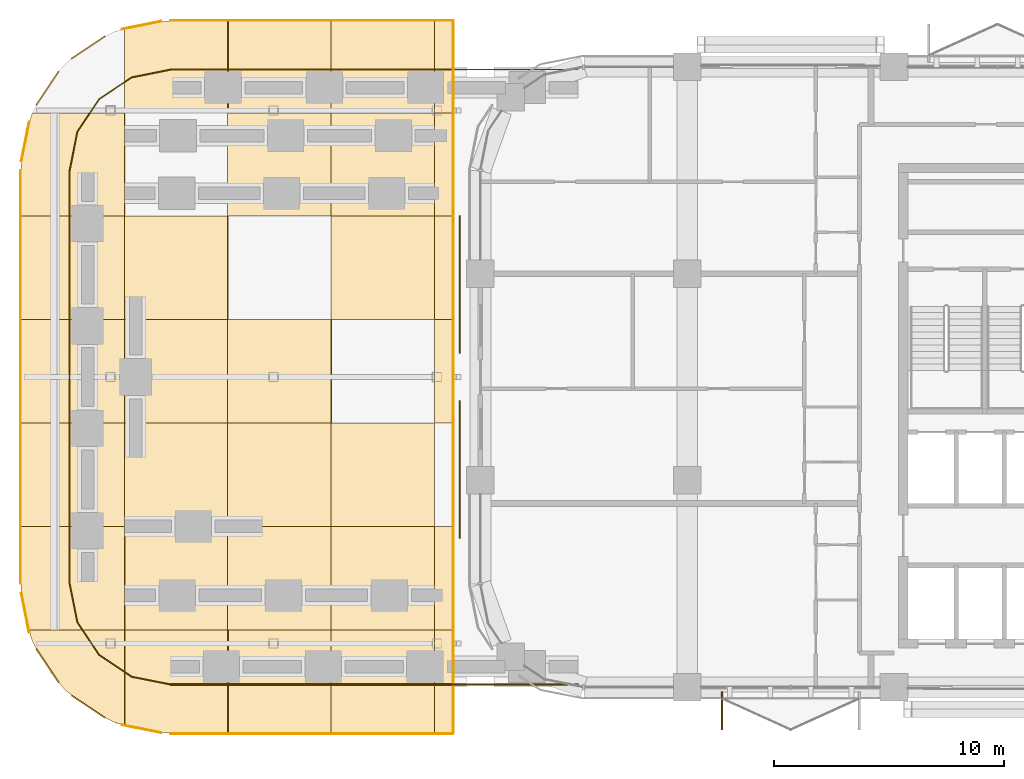
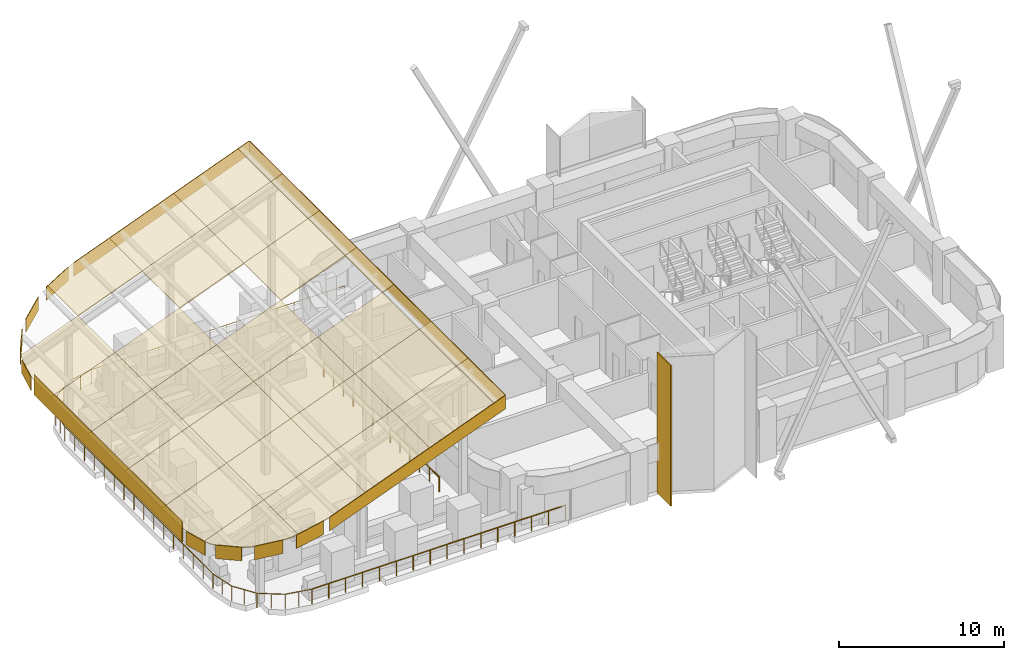
# One storey, part 12 of 13: 43 coverings, 4 railings.
"""IFC4 building model written with IfcOpenShell, lengths in metres."""

from ifc_helpers import new_model, si_unit, direction, frame, origin, origin_2d, place, context, subcontext, project, spatial, polyline, circle, outline, extrude, material, layer, layer_set, type_object, element, save


model = new_model("IFC4")

# Units and contexts
model_context = context("Model", 3, precision=1e-05, world=origin(), true_north=direction((0.0, 1.0)))
body_context = subcontext(model_context, "Body", "Model", "MODEL_VIEW")
ifc_project = project(units=[si_unit("LENGTHUNIT", "METRE"), si_unit("AREAUNIT", "SQUARE_METRE"), si_unit("VOLUMEUNIT", "CUBIC_METRE"), si_unit("PLANEANGLEUNIT", "RADIAN"), si_unit("MASSUNIT", "GRAM", prefix="KILO")], contexts=[model_context])

# Site, building, storey
site_placement = place(None, origin())
site = spatial("IfcSite", under=ifc_project, at=site_placement, CompositionType="ELEMENT")
building_placement = place(site_placement, origin())
building = spatial("IfcBuilding", under=site, at=building_placement, Name="Tessera Arch", CompositionType="ELEMENT")
storey_placement = place(building_placement, frame((0.0, 0.0, 234.5)))
storey = spatial("IfcBuildingStorey", under=building, at=storey_placement, Name="L56", CompositionType="ELEMENT", Elevation=234.5)

# Coverings
ifc_material_1 = material(Name="Aluminium cladding pale metal anodised", Category="aluminium")
ifc_layer_1 = layer(ifc_material_1, 0.0400390625)
ifc_layer_set_1 = layer_set([ifc_layer_1], Name="Canopy fascia pale metal")
covering_type_1 = type_object("IfcCoveringType", Name="Canopy fascia pale metal", PredefinedType="CLADDING", material=ifc_layer_set_1)
covering_1_placement = place(storey_placement, frame((4.5009765625, 25.0, 7.695556640625), z_axis=(0.0, 1.0, 0.0), x_axis=(0.933586121184, 0.0, 0.358353114027)))
element("IfcCovering", 1, at=covering_1_placement, inside=storey, type_object=covering_type_1, Name="CANOPY T2 fascia 2", PredefinedType="CLADDING", context=body_context, shape_type="SweptSolid", body=[
    extrude(outline(polyline([(0.0, 0.0), (13.17400932441898, 0.0), (12.815656210392078, 0.9335861211839118), (-0.3583531140269032, 0.9335861211839117), (0.0, 0.0)])), origin(), (0.0, 0.0, -1.0), 0.0400390625),
])
covering_2_placement = place(storey_placement, frame((16.800048828125, 25.0, 12.41650390625), z_axis=(-1.0, 0.0, 0.0), x_axis=(0.0, 1.0, 0.0)))
element("IfcCovering", 2, at=covering_2_placement, inside=storey, type_object=covering_type_1, Name="CANOPY T2 fascia 3", PredefinedType="CLADDING", context=body_context, shape_type="SweptSolid", body=[
    extrude(outline(polyline([(0.0, 0.0), (31.0, 0.0), (31.0, 1.0), (0.0, 1.0), (0.0, 0.0)])), origin(), (0.0, 0.0, -1.0), 0.0400390625),
])
covering_3_placement = place(storey_placement, frame((16.800048828125, 56.0, 12.41650390625), z_axis=(0.0, -1.0, 0.0), x_axis=(-0.933586121184, 0.0, -0.358353114027)))
element("IfcCovering", 3, at=covering_3_placement, inside=storey, type_object=covering_type_1, Name="CANOPY T2 fascia 4", PredefinedType="CLADDING", context=body_context, shape_type="SweptSolid", body=[
    extrude(outline(polyline([(0.0, 0.0), (13.17400932441898, 0.0), (13.532362438445883, 0.9335861211839118), (0.3583531140269032, 0.9335861211839117), (0.0, 0.0)])), origin(), (0.0, 0.0, -1.0), 0.0400390625),
])
covering_4_placement = place(storey_placement, frame((4.10888671875, 55.96142578125, 7.544921875), z_axis=(0.195125035928, -0.980778374738, 0.0), x_axis=(-0.917889527499, -0.18261335246, -0.352322549394)))
element("IfcCovering", 4, at=covering_4_placement, inside=storey, type_object=covering_type_1, Name="CANOPY T2 fascia 8", PredefinedType="CLADDING", context=body_context, shape_type="SweptSolid", body=[
    extrude(outline(polyline([(0.0, 0.0), (1.873033986927359, 0.0), (2.2253565363209025, 0.9358786359292716), (0.35232254939354346, 0.9358786359292717), (0.0, 0.0)])), origin(), (0.0, 0.0, -1.0), 0.0400390625),
])
covering_5_placement = place(storey_placement, frame((1.6650390625, 55.3193359375, 6.60693359375), z_axis=(0.555632494764, -0.831428006963, 0.0), x_axis=(-0.792070334031, -0.52933027519, -0.304029679003)))
element("IfcCovering", 5, at=covering_5_placement, inside=storey, type_object=covering_type_1, Name="CANOPY T2 fascia 14", PredefinedType="CLADDING", context=body_context, shape_type="SweptSolid", body=[
    extrude(outline(polyline([(0.0, 0.0), (1.8389060998366031, 0.0), (2.1429357788396133, 0.9526625605561115), (0.30402967900301037, 0.9526625605561115), (0.0, 0.0)])), origin(), (0.0, 0.0, -1.0), 0.0400390625),
])
covering_6_placement = place(storey_placement, frame((-0.345947265625, 53.79150390625, 5.8349609375), z_axis=(0.831428006963, -0.555632494764, 0.0), x_axis=(-0.543401447087, -0.813125917563, -0.208665065335)))
element("IfcCovering", 6, at=covering_6_placement, inside=storey, type_object=covering_type_1, Name="CANOPY T2 fascia 20", PredefinedType="CLADDING", context=body_context, shape_type="SweptSolid", body=[
    extrude(outline(polyline([(0.0, 0.0), (1.7912883322128825, 5.551115123125783e-17), (1.999953397547869, 0.9779871627525316), (0.20866506533498647, 0.9779871627525314), (0.0, 0.0)])), origin(), (0.0, 0.0, -1.0), 0.0400390625),
])
covering_7_placement = place(storey_placement, frame((-1.619384765625, 51.6103515625, 5.34619140625), z_axis=(0.980778374738, -0.195125035928, 0.0), x_axis=(-0.194579563015, -0.978036604393, -0.074720774377)))
element("IfcCovering", 7, at=covering_7_placement, inside=storey, type_object=covering_type_1, Name="CANOPY T2 fascia 26", PredefinedType="CLADDING", context=body_context, shape_type="SweptSolid", body=[
    extrude(outline(polyline([(0.0, 0.0), (1.757846560678037, 0.0), (1.8325673350551455, 0.9972044955155813), (0.07472077437710863, 0.9972044955155814), (0.0, 0.0)])), origin(), (0.0, 0.0, -1.0), 0.0400390625),
])
covering_8_placement = place(storey_placement, frame((-2.0, 49.4990234375, 5.699951171875), z_axis=(1.0, 0.0, 0.0), x_axis=(0.0, -1.0, 0.0)))
element("IfcCovering", 8, at=covering_8_placement, inside=storey, type_object=covering_type_1, Name="CANOPY T2 fascia 30", PredefinedType="CLADDING", context=body_context, shape_type="SweptSolid", body=[
    extrude(outline(polyline([(0.0, 0.0), (17.998046875, 0.0), (17.998046875, 1.5), (0.0, 1.5), (0.0, 0.0)])), origin(), (0.0, 0.0, -1.0), 0.0400390625),
])
covering_9_placement = place(storey_placement, frame((-1.96142578125, 31.10888671875, 5.21484375), z_axis=(0.980778374738, 0.195125035928, 0.0), x_axis=(0.194579563015, -0.978036604393, 0.074720774377)))
element("IfcCovering", 9, at=covering_9_placement, inside=storey, type_object=covering_type_1, Name="CANOPY T2 fascia 34", PredefinedType="CLADDING", context=body_context, shape_type="SweptSolid", body=[
    extrude(outline(polyline([(0.0, 0.0), (1.757846560678037, 0.0), (1.6831257863009284, 0.9972044955155814), (-0.07472077437710863, 0.9972044955155814), (0.0, 0.0)])), origin(), (0.0, 0.0, -1.0), 0.0400390625),
])
covering_10_placement = place(storey_placement, frame((-1.3193359375, 28.6650390625, 5.461181640625), z_axis=(0.831428006963, 0.555632494764, 0.0), x_axis=(0.543401447087, -0.813125917563, 0.208665065335)))
element("IfcCovering", 10, at=covering_10_placement, inside=storey, type_object=covering_type_1, Name="CANOPY T2 fascia 40", PredefinedType="CLADDING", context=body_context, shape_type="SweptSolid", body=[
    extrude(outline(polyline([(0.0, 0.0), (1.7912883322128825, -5.551115123125783e-17), (1.582623266877896, 0.9779871627525314), (-0.20866506533498647, 0.9779871627525314), (0.0, 0.0)])), origin(), (0.0, 0.0, -1.0), 0.0400390625),
])
covering_11_placement = place(storey_placement, frame((0.20849609375, 26.654052734375, 6.0478515625), z_axis=(0.555632494764, 0.831428006963, 0.0), x_axis=(0.792070334031, -0.52933027519, 0.304029679003)))
element("IfcCovering", 11, at=covering_11_placement, inside=storey, type_object=covering_type_1, Name="CANOPY T2 fascia 46", PredefinedType="CLADDING", context=body_context, shape_type="SweptSolid", body=[
    extrude(outline(polyline([(0.0, 0.0), (1.8389060998366031, 0.0), (1.5348764208335928, 0.9526625605561115), (-0.30402967900301037, 0.9526625605561115), (0.0, 0.0)])), origin(), (0.0, 0.0, -1.0), 0.0400390625),
])
covering_12_placement = place(storey_placement, frame((2.3896484375, 25.380615234375, 6.885009765625), z_axis=(0.195125035928, 0.980778374738, 0.0), x_axis=(0.917889527499, -0.18261335246, 0.352322549394)))
element("IfcCovering", 12, at=covering_12_placement, inside=storey, type_object=covering_type_1, Name="CANOPY T2 fascia 52", PredefinedType="CLADDING", context=body_context, shape_type="SweptSolid", body=[
    extrude(outline(polyline([(0.0, 0.0), (1.873033986927359, 0.0), (1.5207114375338155, 0.9358786359292717), (-0.35232254939354346, 0.9358786359292717), (0.0, 0.0)])), origin(), (0.0, 0.0, -1.0), 0.0400390625),
])
ifc_material_2 = material(Name="Aluminium cladding pale metal anodised", Category="aluminium")
ifc_layer_2 = layer(ifc_material_2, 0.080078125)
ifc_layer_set_2 = layer_set([ifc_layer_2], Name="Canopy panel pale metal")
covering_type_2 = type_object("IfcCoveringType", Name="Canopy panel pale metal", PredefinedType="CLADDING", material=ifc_layer_set_2)
covering_13_placement = place(storey_placement, frame((2.5, 29.5, 6.927490234375), z_axis=(-0.358397307592, -8.583262e-06, 0.93356915643), x_axis=(-0.933569156464, 4.3e-11, -0.358397307605)))
element("IfcCovering", 13, at=covering_13_placement, inside=storey, type_object=covering_type_2, Name="CANOPY T2 panel 1-1", PredefinedType="CLADDING", context=body_context, shape_type="SweptSolid", body=[
    extrude(outline(polyline([(0.0, 0.0), (4.436039274469699, 0.0), (4.389203753652223, 0.20703124943891174), (4.327767105828282, 0.3957519529779095), (4.246926737423839, 0.5778808584843661), (4.147856835096378, 0.7512207031982405), (4.091135281507817, 0.8349609381669815), (3.048448146492328, 2.2915039060549898), (2.9873269201730426, 2.3725585951782526), (2.8533934051010723, 2.5249023442999494), (2.7037720757076933, 2.6643066403629754), (2.5403208851223678, 2.7895507808541944), (2.4545375003351433, 2.845947265065426), (0.8943804148729191, 3.819335937518349), (0.8055119668270752, 3.8718261729166867), (0.6190286487462071, 3.964843750483991), (0.4239739073617549, 4.040283204359769), (0.22180277496045597, 4.097656250744239), (-1.7838111411469967e-10, 4.141357421722448), (0.0, 0.0)])), origin(), (0.0, 0.0, -1.0), 0.080078125),
])
covering_14_placement = place(storey_placement, frame((-1.641357421875, 29.5, 5.337646484375), z_axis=(-0.358391878059, 2.038691e-06, 0.933571240847), x_axis=(0.933571240849, -2e-12, 0.358391878059)))
element("IfcCovering", 14, at=covering_14_placement, inside=storey, type_object=covering_type_2, Name="CANOPY T2 panel 1-2", PredefinedType="CLADDING", context=body_context, shape_type="SweptSolid", body=[
    extrude(outline(polyline([(0.0, 0.0), (4.436039274524144, -4.235164736271502e-22), (4.436039274516826, 4.499999999990649), (-0.3841672783357465, 4.500000000018152), (-0.3841672783316828, 2.0009765625233444), (-0.3815380596008743, 1.901855468698713), (-0.3609072284558098, 1.706542968851368), (-0.34281811802444706, 1.6088867186139935), (0.0, 0.0)])), origin(), (0.0, 0.0, -1.0), 0.080078125),
])
for number, where, z_axis, x_axis, name in (
    (15, (-2.0, 34.0, 5.199951171875), (-0.358395235463, 0.0, 0.933569951957), (0.933569951957, 0.0, 0.358395235463), "CANOPY T2 panel 1-3"),
    (16, (-2.0, 38.5, 5.199951171875), (-0.358395235463, 0.0, 0.933569951957), (0.933569951957, 0.0, 0.358395235463), "CANOPY T2 panel 1-4"),
    (17, (-2.0, 43.0, 5.199951171875), (-0.358395235463, 0.0, 0.933569951957), (0.933569951957, 0.0, 0.358395235463), "CANOPY T2 panel 1-5"),
):
    element("IfcCovering", number, at=place(storey_placement, frame(where, z_axis=z_axis, x_axis=x_axis)), inside=storey, type_object=covering_type_2, Name=name, PredefinedType="CLADDING", context=body_context, shape_type="SweptSolid", body=[
        extrude(outline(polyline([(0.0, 0.0), (4.820206552883743, 0.0), (4.820206552883743, 4.5), (0.0, 4.5), (0.0, 0.0)])), origin(), (0.0, 0.0, -1.0), 0.080078125),
    ])
covering_15_placement = place(storey_placement, frame((-2.0, 47.5, 5.199951171875), z_axis=(-0.358386872143, -1.4808237e-05, 0.933573162455), x_axis=(0.933573162557, 1.33e-10, 0.358386872183)))
element("IfcCovering", 18, at=covering_15_placement, inside=storey, type_object=covering_type_2, Name="CANOPY T2 panel 1-6", PredefinedType="CLADDING", context=body_context, shape_type="SweptSolid", body=[
    extrude(outline(polyline([(0.0, 0.0), (4.820206552690326, 3.3881317890172014e-21), (4.820206553287286, 4.499999999506612), (0.5385037011833473, 4.500000001379486), (0.49189610421732305, 4.395019530392376), (0.4310027988945105, 4.207031250675496), (0.40774274880311956, 4.110351563749349), (0.04134916020176654, 2.391113282149499), (0.023260050382810347, 2.2934570304352873), (0.0026292188121003787, 2.0981445315634333), (2.6518580978969237e-10, 1.9990234372808233), (0.0, 0.0)])), origin(), (0.0, 0.0, -1.0), 0.080078125),
])
covering_16_placement = place(storey_placement, frame((4.40185546875, 25.00244140625, 7.657470703125), z_axis=(-0.358352086716, -5.96815e-06, 0.933586515493), x_axis=(0.933339906472, -0.022985650621, 0.35825728025)))
element("IfcCovering", 19, at=covering_16_placement, inside=storey, type_object=covering_type_2, Name="CANOPY T2 panel 2-1", PredefinedType="CLADDING", context=body_context, shape_type="SweptSolid", body=[
    extrude(outline(polyline([(0.0, 0.0), (0.106214354065648, 5.421010862427522e-20), (2.782303254639625, 0.06152790043243579), (2.678867826846032, 4.560338977990135), (-2.1399777331791436, 4.449545405368071), (-2.044785938384074, 0.3092821507776156), (-0.3145913989877169, 0.028909361985059678), (-0.2106744752929415, 0.014448436310297243), (0.0, 0.0)])), origin(), (0.0, 0.0, -1.0), 0.080078125),
])
for number, where, z_axis, x_axis, name in (
    (20, (7.0, 29.5, 8.65478515625), (-0.358351090622, 0.0, 0.933586897857), (0.0, 1.0, 0.0), "CANOPY T2 panel 2-2"),
    (21, (7.0, 34.0, 8.65478515625), (-0.358351090622, 0.0, 0.933586897857), (0.0, 1.0, 0.0), "CANOPY T2 panel 2-3"),
    (22, (7.0, 38.5, 8.65478515625), (-0.358351090622, 0.0, 0.933586897857), (0.0, 1.0, 0.0), "CANOPY T2 panel 2-4"),
    (23, (7.0, 43.0, 8.65478515625), (-0.358351090622, 0.0, 0.933586897857), (0.0, 1.0, 0.0), "CANOPY T2 panel 2-5"),
):
    element("IfcCovering", number, at=place(storey_placement, frame(where, z_axis=z_axis, x_axis=x_axis)), inside=storey, type_object=covering_type_2, Name=name, PredefinedType="CLADDING", context=body_context, shape_type="SweptSolid", body=[
        extrude(outline(polyline([(0.0, 0.0), (4.5, 0.0), (4.5, 4.820119059435686), (0.0, 4.820119059435686), (0.0, 0.0)])), origin(), (0.0, 0.0, -1.0), 0.080078125),
    ])
covering_17_placement = place(storey_placement, frame((2.5, 55.641357421875, 6.927490234375), z_axis=(-0.358352119174, 5.852666e-06, 0.933586503035), x_axis=(-2.097315e-06, -0.999999999983, 5.46397e-06)))
element("IfcCovering", 24, at=covering_17_placement, inside=storey, type_object=covering_type_2, Name="CANOPY T2 panel 2-7", PredefinedType="CLADDING", context=body_context, shape_type="SweptSolid", body=[
    extrude(outline(polyline([(0.0, 0.0), (3.6413574218126348, -1.542174854528551e-21), (3.6413574217815543, 4.820119059432761), (-0.3586425781499379, 4.820119059432761), (-0.3586425781057551, 2.143322936022263), (-0.35620117206803337, 2.037136644315517), (-0.3369140625924296, 1.8279366191619164), (-0.3200683600842396, 1.7232928624299426), (0.0, 0.0)])), origin(), (0.0, 0.0, -1.0), 0.080078125),
])
for number, where, z_axis, x_axis, name in (
    (25, (11.5, 25.0, 10.382080078125), (-0.358351090622, 0.0, 0.933586897857), (0.0, 1.0, 0.0), "CANOPY T2 panel 3-1"),
    (26, (11.5, 29.5, 10.382080078125), (-0.358351090622, 0.0, 0.933586897857), (0.0, 1.0, 0.0), "CANOPY T2 panel 3-2"),
    (27, (11.5, 34.0, 10.382080078125), (-0.358351090622, 0.0, 0.933586897857), (0.0, 1.0, 0.0), "CANOPY T2 panel 3-3"),
    (28, (11.5, 38.5, 10.382080078125), (-0.358351090622, 0.0, 0.933586897857), (0.0, 1.0, 0.0), "CANOPY T2 panel 3-4"),
    (29, (11.5, 47.5, 10.382080078125), (-0.358351090622, 0.0, 0.933586897857), (0.0, 1.0, 0.0), "CANOPY T2 panel 3-6"),
):
    element("IfcCovering", number, at=place(storey_placement, frame(where, z_axis=z_axis, x_axis=x_axis)), inside=storey, type_object=covering_type_2, Name=name, PredefinedType="CLADDING", context=body_context, shape_type="SweptSolid", body=[
        extrude(outline(polyline([(0.0, 0.0), (4.5, 0.0), (4.5, 4.820119059435686), (0.0, 4.820119059435686), (0.0, 0.0)])), origin(), (0.0, 0.0, -1.0), 0.080078125),
    ])
covering_18_placement = place(storey_placement, frame((7.0, 56.0, 8.65478515625), z_axis=(-0.358351090622, 0.0, 0.933586897857), x_axis=(0.0, -1.0, 0.0)))
element("IfcCovering", 30, at=covering_18_placement, inside=storey, type_object=covering_type_2, Name="CANOPY T2 panel 3-7", PredefinedType="CLADDING", context=body_context, shape_type="SweptSolid", body=[
    extrude(outline(polyline([(0.0, 0.0), (4.0, 0.0), (4.0, 4.820119059435686), (0.0, 4.820119059435686), (0.0, 0.0)])), origin(), (0.0, 0.0, -1.0), 0.080078125),
])
for number, where, z_axis, x_axis, name in (
    (31, (16.0, 25.0, 12.109619140625), (-0.358395235463, 0.0, 0.933569951957), (0.0, 1.0, 0.0), "CANOPY T2 panel 4-1"),
    (32, (16.0, 29.5, 12.109619140625), (-0.358395235463, 0.0, 0.933569951957), (0.0, 1.0, 0.0), "CANOPY T2 panel 4-2"),
    (33, (16.0, 34.0, 12.109619140625), (-0.358395235463, 0.0, 0.933569951957), (0.0, 1.0, 0.0), "CANOPY T2 panel 4-3"),
    (34, (16.0, 43.0, 12.109619140625), (-0.358395235463, 0.0, 0.933569951957), (0.0, 1.0, 0.0), "CANOPY T2 panel 4-5"),
    (35, (16.0, 47.5, 12.109619140625), (-0.358395235463, 0.0, 0.933569951957), (0.0, 1.0, 0.0), "CANOPY T2 panel 4-6"),
):
    element("IfcCovering", number, at=place(storey_placement, frame(where, z_axis=z_axis, x_axis=x_axis)), inside=storey, type_object=covering_type_2, Name=name, PredefinedType="CLADDING", context=body_context, shape_type="SweptSolid", body=[
        extrude(outline(polyline([(0.0, 0.0), (4.5, 0.0), (4.5, 4.820206552883743), (0.0, 4.820206552883743), (0.0, 0.0)])), origin(), (0.0, 0.0, -1.0), 0.080078125),
    ])
covering_19_placement = place(storey_placement, frame((11.5, 56.0, 10.382080078125), z_axis=(-0.358395235463, 0.0, 0.933569951957), x_axis=(0.0, -1.0, 0.0)))
element("IfcCovering", 36, at=covering_19_placement, inside=storey, type_object=covering_type_2, Name="CANOPY T2 panel 4-7", PredefinedType="CLADDING", context=body_context, shape_type="SweptSolid", body=[
    extrude(outline(polyline([(0.0, 0.0), (4.0, 0.0), (4.0, 4.820206552883743), (0.0, 4.820206552883743), (0.0, 0.0)])), origin(), (0.0, 0.0, -1.0), 0.080078125),
])
for number, where, z_axis, x_axis, name in (
    (37, (16.800048828125, 29.5, 12.41650390625), (-0.35813887356, 0.0, 0.933668328286), (-0.933668328286, 0.0, -0.35813887356), "CANOPY T2 panel 5-1"),
    (38, (16.800048828125, 34.0, 12.41650390625), (-0.35813887356, 0.0, 0.933668328286), (-0.933668328286, 0.0, -0.35813887356), "CANOPY T2 panel 5-2"),
    (39, (16.800048828125, 43.0, 12.41650390625), (-0.35813887356, 0.0, 0.933668328286), (-0.933668328286, 0.0, -0.35813887356), "CANOPY T2 panel 5-4"),
    (40, (16.800048828125, 47.5, 12.41650390625), (-0.35813887356, 0.0, 0.933668328286), (-0.933668328286, 0.0, -0.35813887356), "CANOPY T2 panel 5-5"),
    (41, (16.800048828125, 52.0, 12.41650390625), (-0.35813887356, 0.0, 0.933668328286), (-0.933668328286, 0.0, -0.35813887356), "CANOPY T2 panel 5-6"),
):
    element("IfcCovering", number, at=place(storey_placement, frame(where, z_axis=z_axis, x_axis=x_axis)), inside=storey, type_object=covering_type_2, Name=name, PredefinedType="CLADDING", context=body_context, shape_type="SweptSolid", body=[
        extrude(outline(polyline([(0.0, 0.0), (0.8568876161766472, 0.0), (0.8568876161766472, 4.5), (0.0, 4.5), (0.0, 0.0)])), origin(), (0.0, 0.0, -1.0), 0.080078125),
    ])
covering_20_placement = place(storey_placement, frame((16.0, 56.0, 12.109619140625), z_axis=(-0.35813887356, 0.0, 0.933668328286), x_axis=(0.0, -1.0, 0.0)))
element("IfcCovering", 42, at=covering_20_placement, inside=storey, type_object=covering_type_2, Name="CANOPY T2 panel 5-7", PredefinedType="CLADDING", context=body_context, shape_type="SweptSolid", body=[
    extrude(outline(polyline([(0.0, 0.0), (4.0, 0.0), (4.0, 0.8568876161766472), (0.0, 0.8568876161766472), (0.0, 0.0)])), origin(), (0.0, 0.0, -1.0), 0.080078125),
])

# Railings
ifc_material_3 = material(Name="Stainless steel and clear glass", Category="steel")
railing_type = type_object("IfcRailingType", Name="Guard 1100", PredefinedType="GUARDRAIL", material=ifc_material_3)
railing_1_placement = place(storey_placement, frame((4.5244140625, 27.11767578125, 0.0)))
element("IfcRailing", 43, at=railing_1_placement, inside=storey, type_object=railing_type, Name="Guard tube roof terrace 1", PredefinedType="GUARDRAIL", context=body_context, shape_type="SweptSolid", body=[
    extrude(circle(Radius=0.02490234375, at=origin_2d()), frame((0.00390625, -0.000732421875, 1.0751953125), z_axis=(-0.980818638949, 0.194922542282, 0.0), x_axis=(-0.194922542282, -0.980818638949, 0.0)), (0.0, 0.0, 1.0), 1.739013671875),
    extrude(circle(Radius=0.02490234375, at=origin_2d()), frame((-1.6943359375, 0.335205078125, 1.0751953125), z_axis=(-0.831632230003, 0.555326781293, 0.0), x_axis=(-0.555326781293, -0.831632230003, 0.0)), (0.0, 0.0, 1.0), 1.716064453125),
    extrude(circle(Radius=0.02490234375, at=origin_2d()), frame((-3.115966796875, 1.282470703125, 1.0751953125), z_axis=(-0.555986207166, 0.831191516704, 0.0), x_axis=(-0.831191516704, -0.555986207166, 0.0)), (0.0, 0.0, 1.0), 1.7158203125),
    extrude(circle(Radius=0.02490234375, at=origin_2d()), frame((-4.06689453125, 2.701416015625, 1.0751953125), z_axis=(-0.195597844923, 0.980684191298, 0.0), x_axis=(-0.980684191298, -0.195597844923, 0.0)), (0.0, 0.0, 1.0), 1.729248046875),
    extrude(circle(Radius=0.02490234375, at=origin_2d()), frame((-4.404296875, 4.389404296875, 1.0751953125), z_axis=(0.0, 1.0, 0.0), x_axis=(-1.0, 0.0, 0.0)), (0.0, 0.0, 1.0), 17.984375),
    extrude(circle(Radius=0.02490234375, at=origin_2d()), frame((-4.405029296875, 22.36572265625, 1.0751953125), z_axis=(0.194859590839, 0.980831147475, 0.0), x_axis=(-0.980831147475, 0.194859590839, 0.0)), (0.0, 0.0, 1.0), 1.72705078125),
    extrude(circle(Radius=0.02490234375, at=origin_2d()), frame((-4.071533203125, 24.05224609375, 1.0751953125), z_axis=(0.555326781293, 0.831632230003, 0.0), x_axis=(-0.831632230003, 0.555326781293, 0.0)), (0.0, 0.0, 1.0), 1.716064453125),
    extrude(circle(Radius=0.02490234375, at=origin_2d()), frame((-3.124267578125, 25.473876953125, 1.0751953125), z_axis=(0.831191516704, 0.555986207166, 0.0), x_axis=(-0.555986207166, 0.831191516704, 0.0)), (0.0, 0.0, 1.0), 1.7158203125),
    extrude(circle(Radius=0.02490234375, at=origin_2d()), frame((-1.705322265625, 26.4248046875, 1.0751953125), z_axis=(0.980684191298, 0.195597844923, 0.0), x_axis=(-0.195597844923, 0.980684191298, 0.0)), (0.0, 0.0, 1.0), 1.729248046875),
    extrude(circle(Radius=0.02490234375, at=origin_2d()), frame((-0.017333984375, 26.76220703125, 1.0751953125), z_axis=(1.0, 0.0, 0.0), x_axis=(0.0, 1.0, 0.0)), (0.0, 0.0, 1.0), 17.74072265625),
    extrude(circle(Radius=0.02001953125, at=origin_2d()), origin(), (0.0, 0.0, 1.0), 1.06201171875),
    extrude(circle(Radius=0.02001953125, at=origin_2d()), frame((-0.848876953125, 0.168701171875, 0.0)), (0.0, 0.0, 1.0), 1.06201171875),
    extrude(circle(Radius=0.02001953125, at=origin_2d()), frame((-1.69775390625, 0.33740234375, 0.0)), (0.0, 0.0, 1.0), 1.06201171875),
    extrude(circle(Radius=0.02001953125, at=origin_2d()), frame((-2.407958984375, 0.8115234375, 0.0)), (0.0, 0.0, 1.0), 1.06201171875),
    extrude(circle(Radius=0.02001953125, at=origin_2d()), frame((-3.1181640625, 1.285888671875, 0.0)), (0.0, 0.0, 1.0), 1.06201171875),
    extrude(circle(Radius=0.02001953125, at=origin_2d()), frame((-3.5927734375, 1.99560546875, 0.0)), (0.0, 0.0, 1.0), 1.06201171875),
    extrude(circle(Radius=0.02001953125, at=origin_2d()), frame((-4.067626953125, 2.705322265625, 0.0)), (0.0, 0.0, 1.0), 1.06201171875),
    extrude(circle(Radius=0.02001953125, at=origin_2d()), frame((-4.23583984375, 3.54931640625, 0.0)), (0.0, 0.0, 1.0), 1.06201171875),
    extrude(circle(Radius=0.02001953125, at=origin_2d()), frame((-4.404296875, 4.393310546875, 0.0)), (0.0, 0.0, 1.0), 1.06201171875),
    extrude(circle(Radius=0.02001953125, at=origin_2d()), frame((-4.404296875, 5.591796875, 0.0)), (0.0, 0.0, 1.0), 1.06201171875),
    extrude(circle(Radius=0.02001953125, at=origin_2d()), frame((-4.404296875, 6.7900390625, 0.0)), (0.0, 0.0, 1.0), 1.06201171875),
    extrude(circle(Radius=0.02001953125, at=origin_2d()), frame((-4.404296875, 7.988525390625, 0.0)), (0.0, 0.0, 1.0), 1.06201171875),
    extrude(circle(Radius=0.02001953125, at=origin_2d()), frame((-4.404296875, 9.18701171875, 0.0)), (0.0, 0.0, 1.0), 1.06201171875),
    extrude(circle(Radius=0.02001953125, at=origin_2d()), frame((-4.404296875, 10.385498046875, 0.0)), (0.0, 0.0, 1.0), 1.06201171875),
    extrude(circle(Radius=0.02001953125, at=origin_2d()), frame((-4.404296875, 11.583740234375, 0.0)), (0.0, 0.0, 1.0), 1.06201171875),
    extrude(circle(Radius=0.02001953125, at=origin_2d()), frame((-4.404296875, 12.7822265625, 0.0)), (0.0, 0.0, 1.0), 1.06201171875),
    extrude(circle(Radius=0.02001953125, at=origin_2d()), frame((-4.404296875, 13.980712890625, 0.0)), (0.0, 0.0, 1.0), 1.06201171875),
    extrude(circle(Radius=0.02001953125, at=origin_2d()), frame((-4.404296875, 15.17919921875, 0.0)), (0.0, 0.0, 1.0), 1.06201171875),
    extrude(circle(Radius=0.02001953125, at=origin_2d()), frame((-4.404296875, 16.37744140625, 0.0)), (0.0, 0.0, 1.0), 1.06201171875),
    extrude(circle(Radius=0.02001953125, at=origin_2d()), frame((-4.404296875, 17.575927734375, 0.0)), (0.0, 0.0, 1.0), 1.06201171875),
    extrude(circle(Radius=0.02001953125, at=origin_2d()), frame((-4.404296875, 18.7744140625, 0.0)), (0.0, 0.0, 1.0), 1.06201171875),
    extrude(circle(Radius=0.02001953125, at=origin_2d()), frame((-4.404296875, 19.972900390625, 0.0)), (0.0, 0.0, 1.0), 1.06201171875),
    extrude(circle(Radius=0.02001953125, at=origin_2d()), frame((-4.404296875, 21.171142578125, 0.0)), (0.0, 0.0, 1.0), 1.06201171875),
    extrude(circle(Radius=0.02001953125, at=origin_2d()), frame((-4.404296875, 22.36962890625, 0.0)), (0.0, 0.0, 1.0), 1.06201171875),
    extrude(circle(Radius=0.02001953125, at=origin_2d()), frame((-4.23681640625, 23.212646484375, 0.0)), (0.0, 0.0, 1.0), 1.06201171875),
    extrude(circle(Radius=0.02001953125, at=origin_2d()), frame((-4.0693359375, 24.0556640625, 0.0)), (0.0, 0.0, 1.0), 1.06201171875),
    extrude(circle(Radius=0.02001953125, at=origin_2d()), frame((-3.59521484375, 24.765869140625, 0.0)), (0.0, 0.0, 1.0), 1.06201171875),
    extrude(circle(Radius=0.02001953125, at=origin_2d()), frame((-3.120849609375, 25.47607421875, 0.0)), (0.0, 0.0, 1.0), 1.06201171875),
    extrude(circle(Radius=0.02001953125, at=origin_2d()), frame((-2.4111328125, 25.95068359375, 0.0)), (0.0, 0.0, 1.0), 1.06201171875),
    extrude(circle(Radius=0.02001953125, at=origin_2d()), frame((-1.701416015625, 26.425537109375, 0.0)), (0.0, 0.0, 1.0), 1.06201171875),
    extrude(circle(Radius=0.02001953125, at=origin_2d()), frame((-0.857421875, 26.59375, 0.0)), (0.0, 0.0, 1.0), 1.06201171875),
    extrude(circle(Radius=0.02001953125, at=origin_2d()), frame((-0.013427734375, 26.76220703125, 0.0)), (0.0, 0.0, 1.0), 1.06201171875),
    extrude(circle(Radius=0.02001953125, at=origin_2d()), frame((1.168701171875, 26.76220703125, 0.0)), (0.0, 0.0, 1.0), 1.06201171875),
    extrude(circle(Radius=0.02001953125, at=origin_2d()), frame((2.350830078125, 26.76220703125, 0.0)), (0.0, 0.0, 1.0), 1.06201171875),
    extrude(circle(Radius=0.02001953125, at=origin_2d()), frame((3.533203125, 26.76220703125, 0.0)), (0.0, 0.0, 1.0), 1.06201171875),
    extrude(circle(Radius=0.02001953125, at=origin_2d()), frame((4.71533203125, 26.76220703125, 0.0)), (0.0, 0.0, 1.0), 1.06201171875),
    extrude(circle(Radius=0.02001953125, at=origin_2d()), frame((5.8974609375, 26.76220703125, 0.0)), (0.0, 0.0, 1.0), 1.06201171875),
    extrude(circle(Radius=0.02001953125, at=origin_2d()), frame((7.07958984375, 26.76220703125, 0.0)), (0.0, 0.0, 1.0), 1.06201171875),
    extrude(circle(Radius=0.02001953125, at=origin_2d()), frame((8.26171875, 26.76220703125, 0.0)), (0.0, 0.0, 1.0), 1.06201171875),
    extrude(circle(Radius=0.02001953125, at=origin_2d()), frame((9.444091796875, 26.76220703125, 0.0)), (0.0, 0.0, 1.0), 1.06201171875),
    extrude(circle(Radius=0.02001953125, at=origin_2d()), frame((10.626220703125, 26.76220703125, 0.0)), (0.0, 0.0, 1.0), 1.06201171875),
    extrude(circle(Radius=0.02001953125, at=origin_2d()), frame((11.808349609375, 26.76220703125, 0.0)), (0.0, 0.0, 1.0), 1.06201171875),
    extrude(circle(Radius=0.02001953125, at=origin_2d()), frame((12.990478515625, 26.76220703125, 0.0)), (0.0, 0.0, 1.0), 1.06201171875),
    extrude(circle(Radius=0.02001953125, at=origin_2d()), frame((14.172607421875, 26.76220703125, 0.0)), (0.0, 0.0, 1.0), 1.06201171875),
    extrude(circle(Radius=0.02001953125, at=origin_2d()), frame((15.35498046875, 26.76220703125, 0.0)), (0.0, 0.0, 1.0), 1.06201171875),
    extrude(circle(Radius=0.02001953125, at=origin_2d()), frame((16.537109375, 26.76220703125, 0.0)), (0.0, 0.0, 1.0), 1.06201171875),
    extrude(circle(Radius=0.02001953125, at=origin_2d()), frame((17.71923828125, 26.76220703125, 0.0)), (0.0, 0.0, 1.0), 1.06201171875),
])
railing_2_placement = place(storey_placement, frame((22.24365234375, 27.1201171875, 0.0)))
element("IfcRailing", 44, at=railing_2_placement, inside=storey, type_object=railing_type, Name="Guard tube roof terrace 2", PredefinedType="GUARDRAIL", context=body_context, shape_type="SweptSolid", body=[
    extrude(circle(Radius=0.02490234375, at=origin_2d()), frame((0.00390625, 0.0, 1.0751953125), z_axis=(-1.0, 0.0, 0.0), x_axis=(0.0, -1.0, 0.0)), (0.0, 0.0, 1.0), 17.750732421875),
    extrude(circle(Radius=0.02001953125, at=origin_2d()), origin(), (0.0, 0.0, 1.0), 1.06201171875),
    extrude(circle(Radius=0.02001953125, at=origin_2d()), frame((-1.182861328125, 0.0, 0.0)), (0.0, 0.0, 1.0), 1.06201171875),
    extrude(circle(Radius=0.02001953125, at=origin_2d()), frame((-2.36572265625, 0.0, 0.0)), (0.0, 0.0, 1.0), 1.06201171875),
    extrude(circle(Radius=0.02001953125, at=origin_2d()), frame((-3.548583984375, 0.0, 0.0)), (0.0, 0.0, 1.0), 1.06201171875),
    extrude(circle(Radius=0.02001953125, at=origin_2d()), frame((-4.7314453125, 0.0, 0.0)), (0.0, 0.0, 1.0), 1.06201171875),
    extrude(circle(Radius=0.02001953125, at=origin_2d()), frame((-5.914306640625, 0.0, 0.0)), (0.0, 0.0, 1.0), 1.06201171875),
    extrude(circle(Radius=0.02001953125, at=origin_2d()), frame((-7.09716796875, 0.0, 0.0)), (0.0, 0.0, 1.0), 1.06201171875),
    extrude(circle(Radius=0.02001953125, at=origin_2d()), frame((-8.280029296875, 0.0, 0.0)), (0.0, 0.0, 1.0), 1.06201171875),
    extrude(circle(Radius=0.02001953125, at=origin_2d()), frame((-9.462646484375, 0.0, 0.0)), (0.0, 0.0, 1.0), 1.06201171875),
    extrude(circle(Radius=0.02001953125, at=origin_2d()), frame((-10.6455078125, 0.0, 0.0)), (0.0, 0.0, 1.0), 1.06201171875),
    extrude(circle(Radius=0.02001953125, at=origin_2d()), frame((-11.828369140625, 0.0, 0.0)), (0.0, 0.0, 1.0), 1.06201171875),
    extrude(circle(Radius=0.02001953125, at=origin_2d()), frame((-13.01123046875, 0.0, 0.0)), (0.0, 0.0, 1.0), 1.06201171875),
    extrude(circle(Radius=0.02001953125, at=origin_2d()), frame((-14.194091796875, 0.0, 0.0)), (0.0, 0.0, 1.0), 1.06201171875),
    extrude(circle(Radius=0.02001953125, at=origin_2d()), frame((-15.376953125, 0.0, 0.0)), (0.0, 0.0, 1.0), 1.06201171875),
    extrude(circle(Radius=0.02001953125, at=origin_2d()), frame((-16.559814453125, 0.0, 0.0)), (0.0, 0.0, 1.0), 1.06201171875),
    extrude(circle(Radius=0.02001953125, at=origin_2d()), frame((-17.74267578125, 0.0, 0.0)), (0.0, 0.0, 1.0), 1.06201171875),
])
for number, where, name in (
    (45, (17.10009765625, 47.5, 0.0), "Guard terrace wall side 1.1"),
    (46, (17.10009765625, 39.449951171875, 0.0), "Guard terrace wall side 1.2"),
):
    element("IfcRailing", number, at=place(storey_placement, frame(where)), inside=storey, type_object=railing_type, Name=name, PredefinedType="GUARDRAIL", context=body_context, shape_type="SweptSolid", body=[
        extrude(circle(Radius=0.02490234375, at=origin_2d()), frame((0.0, 0.00390625, 1.0751953125), z_axis=(0.0, -1.0, 0.0), x_axis=(1.0, 0.0, 0.0)), (0.0, 0.0, 1.0), 5.9580078125),
        extrude(circle(Radius=0.02001953125, at=origin_2d()), origin(), (0.0, 0.0, 1.0), 1.06201171875),
        extrude(circle(Radius=0.02001953125, at=origin_2d()), frame((0.0, -1.18994140625, 0.0)), (0.0, 0.0, 1.0), 1.06201171875),
        extrude(circle(Radius=0.02001953125, at=origin_2d()), frame((0.0, -2.3798828125, 0.0)), (0.0, 0.0, 1.0), 1.06201171875),
        extrude(circle(Radius=0.02001953125, at=origin_2d()), frame((0.0, -3.570068359375, 0.0)), (0.0, 0.0, 1.0), 1.06201171875),
        extrude(circle(Radius=0.02001953125, at=origin_2d()), frame((0.0, -4.760009765625, 0.0)), (0.0, 0.0, 1.0), 1.06201171875),
        extrude(circle(Radius=0.02001953125, at=origin_2d()), frame((0.0, -5.949951171875, 0.0)), (0.0, 0.0, 1.0), 1.06201171875),
    ])

# Covering
ifc_material_4 = material(Name="Anodised aluminium pale metal", Category="aluminium")
ifc_layer_3 = layer(ifc_material_4, 0.080078125)
ifc_layer_set_3 = layer_set([ifc_layer_3], Name="Window box cheek")
covering_type_3 = type_object("IfcCoveringType", Name="Window box cheek", PredefinedType="CLADDING", material=ifc_layer_set_3)
covering_21_placement = place(storey_placement, origin())
element("IfcCovering", 47, at=covering_21_placement, inside=storey, type_object=covering_type_3, Name="Window box S27.18/1.0 2x3 cheek", PredefinedType="CLADDING", context=body_context, shape_type="SweptSolid", body=[
    extrude(outline(polyline([(28.469970703125, 25.14990234375), (28.550048828125, 25.14990234375), (28.550048828125, 26.800048828125), (28.469970703125, 26.800048828125), (28.469970703125, 25.14990234375)])), origin(), (0.0, 0.0, 1.0), 10.39990234375),
])

save(model, "model.ifc")
